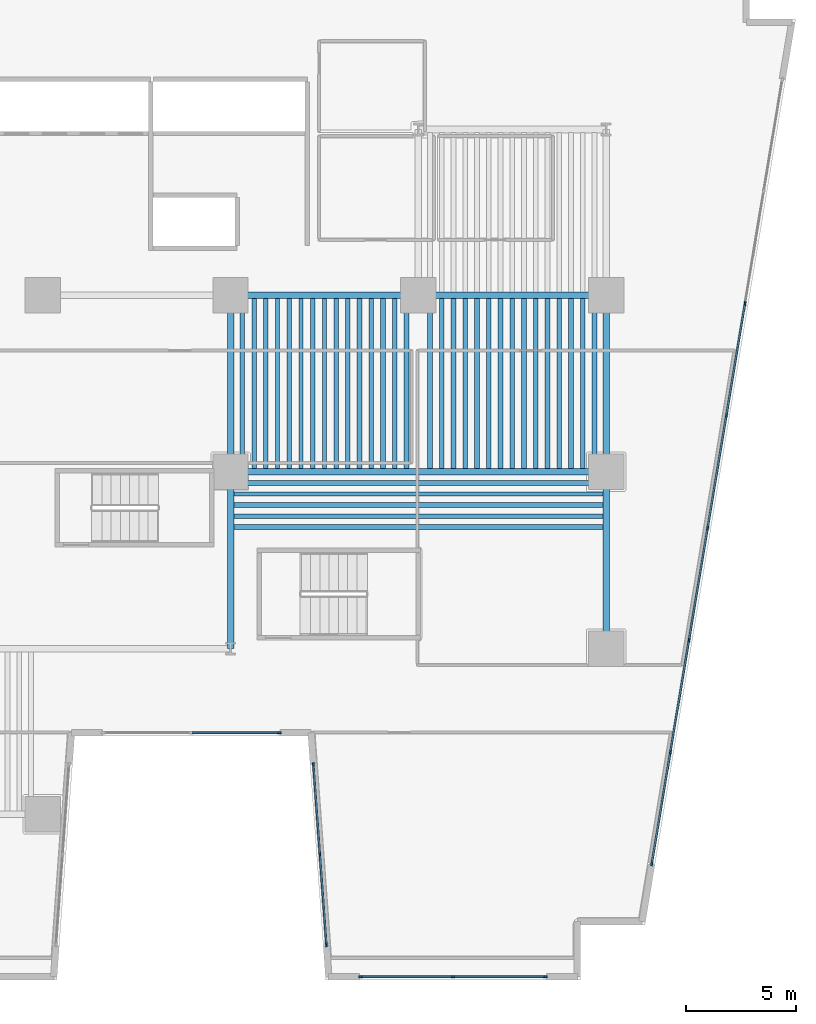
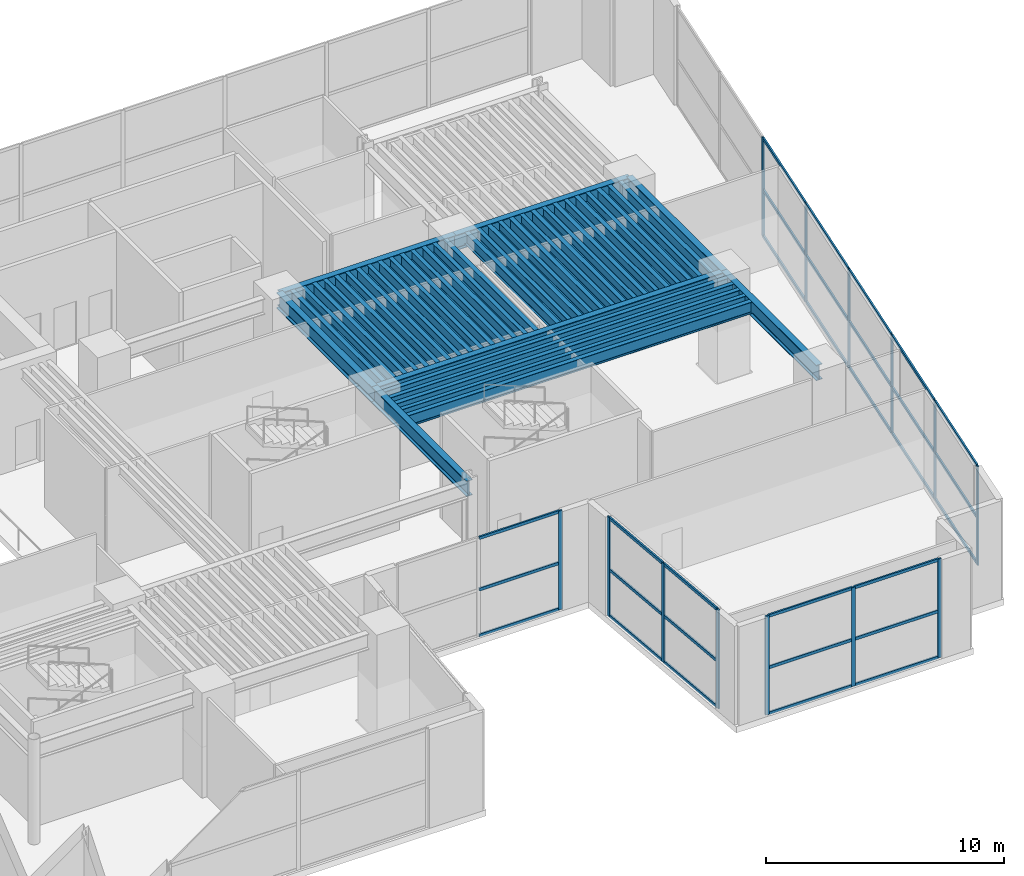
# One storey, part 4 of 16: 43 members, 42 beams, 4 elements without a shape of their own.
"""IFC4 building model written with IfcOpenShell, lengths in metres."""

from ifc_helpers import new_model, si_unit, direction, frame, origin, origin_2d, place, context, subcontext, project, spatial, rectangle, i_section, extrude, material, layer, layer_set, material_profile, profile_set, type_object, element, aggregate, save


model = new_model("IFC4")

# Units and contexts
model_context = context("Model", 3, precision=1e-05, world=origin(), true_north=direction((0.0, 1.0)))
body_context = subcontext(model_context, "Body", "Model", "MODEL_VIEW")
ifc_project = project(units=[si_unit("LENGTHUNIT", "METRE"), si_unit("AREAUNIT", "SQUARE_METRE"), si_unit("VOLUMEUNIT", "CUBIC_METRE"), si_unit("PLANEANGLEUNIT", "RADIAN"), si_unit("MASSUNIT", "GRAM", prefix="KILO")], contexts=[model_context])

# Site, building, storey
site_placement = place(None, origin())
site = spatial("IfcSite", under=ifc_project, at=site_placement, CompositionType="ELEMENT")
building_placement = place(site_placement, origin())
building = spatial("IfcBuilding", under=site, at=building_placement, Name="Caeloran Harvest Quay", CompositionType="ELEMENT")
storey_placement = place(building_placement, frame((0.0, 0.0, 10.800048828125)))
storey = spatial("IfcBuildingStorey", under=building, at=storey_placement, Name="L03", CompositionType="ELEMENT", Elevation=10.800048828125)

# Beams
ifc_material_1 = material(Name="Steel S355J2", Category="steel")
ifc_material_profile_1 = material_profile(ifc_material_1, i_section(OverallWidth=0.300048828125, OverallDepth=0.800048828125, WebThickness=0.017578125, FlangeThickness=0.032958984375, FilletRadius=0.030029296875, at=origin_2d()), Name="HE 800 B")
ifc_profile_set_1 = profile_set([ifc_material_profile_1], Name="Steel S355J2")
beam_type_1 = type_object("IfcBeamType", Name="BM-PG-1-HE_800_B", PredefinedType="BEAM", material=ifc_profile_set_1)
beam_placement = place(storey_placement, frame((34.0, 23.0, 4.679931640625), z_axis=(1.0, 0.0, 0.0), x_axis=(0.0, 1.0, 0.0)))
element("IfcBeam", 1, at=beam_placement, inside=storey, type_object=beam_type_1, Name="L03 Primary East-West Girder Y=23.0", PredefinedType="BEAM", context=body_context, shape_type="SweptSolid", body=[
    extrude(i_section(OverallWidth=0.300048828125, OverallDepth=0.800048828125, WebThickness=0.017578125, FlangeThickness=0.032958984375, FilletRadius=0.030029296875, at=origin_2d()), origin(), (0.0, 0.0, 1.0), 17.0),
])
for number, where, z_axis, x_axis, name in (
    (2, (34.0, 31.0, 4.679931640625), (1.0, 0.0, 0.0), (0.0, 1.0, 0.0), "L03 Primary East-West Girder Y=31.0"),
    (3, (42.5, 31.0, 4.679931640625), (1.0, 0.0, 0.0), (0.0, 1.0, 0.0), "L03 Primary East-West Girder Y=31.0"),
):
    element("IfcBeam", number, at=place(storey_placement, frame(where, z_axis=z_axis, x_axis=x_axis)), inside=storey, type_object=beam_type_1, Name=name, PredefinedType="BEAM", context=body_context, shape_type="SweptSolid", body=[
        extrude(i_section(OverallWidth=0.300048828125, OverallDepth=0.800048828125, WebThickness=0.017578125, FlangeThickness=0.032958984375, FilletRadius=0.030029296875, at=origin_2d()), origin(), (0.0, 0.0, 1.0), 8.5),
    ])
for number, where, z_axis, x_axis, name in (
    (4, (34.0, 15.0, 4.679931640625), (0.0, 1.0, 0.0), (-1.0, 0.0, 0.0), "L03 Primary North-South Girder X=34.0"),
    (5, (34.0, 23.0, 4.679931640625), (0.0, 1.0, 0.0), (-1.0, 0.0, 0.0), "L03 Primary North-South Girder X=34.0"),
    (6, (51.0, 15.0, 4.679931640625), (0.0, 1.0, 0.0), (-1.0, 0.0, 0.0), "L03 Primary North-South Girder X=51.0"),
    (7, (51.0, 23.0, 4.679931640625), (0.0, 1.0, 0.0), (-1.0, 0.0, 0.0), "L03 Primary North-South Girder X=51.0"),
):
    element("IfcBeam", number, at=place(storey_placement, frame(where, z_axis=z_axis, x_axis=x_axis)), inside=storey, type_object=beam_type_1, Name=name, PredefinedType="BEAM", context=body_context, shape_type="SweptSolid", body=[
        extrude(i_section(OverallWidth=0.300048828125, OverallDepth=0.800048828125, WebThickness=0.017578125, FlangeThickness=0.032958984375, FilletRadius=0.030029296875, at=origin_2d()), origin(), (0.0, 0.0, 1.0), 8.0),
    ])
ifc_material_profile_2 = material_profile(ifc_material_1, i_section(OverallWidth=0.219970703125, OverallDepth=0.60009765625, WebThickness=0.011962890625, FlangeThickness=0.01904296875, FilletRadius=0.02392578125, at=origin_2d()), Name="IPE 600")
ifc_profile_set_2 = profile_set([ifc_material_profile_2], Name="Steel S355J2")
beam_type_2 = type_object("IfcBeamType", Name="BM-SB-1-IPE_600", PredefinedType="JOIST", material=ifc_profile_set_2)
for number, where, z_axis, x_axis, name in (
    (8, (34.53125, 23.14501953125, 4.780029296875), (0.0, 1.0, 0.0), (-1.0, 0.0, 0.0), "L03 Secondary Composite Joist"),
    (9, (35.59375, 23.14501953125, 4.780029296875), (0.0, 1.0, 0.0), (-1.0, 0.0, 0.0), "L03 Secondary Composite Joist"),
    (10, (36.65625, 23.14501953125, 4.780029296875), (0.0, 1.0, 0.0), (-1.0, 0.0, 0.0), "L03 Secondary Composite Joist"),
    (11, (37.71875, 23.14501953125, 4.780029296875), (0.0, 1.0, 0.0), (-1.0, 0.0, 0.0), "L03 Secondary Composite Joist"),
    (12, (38.78125, 23.14501953125, 4.780029296875), (0.0, 1.0, 0.0), (-1.0, 0.0, 0.0), "L03 Secondary Composite Joist"),
    (13, (39.84375, 23.14501953125, 4.780029296875), (0.0, 1.0, 0.0), (-1.0, 0.0, 0.0), "L03 Secondary Composite Joist"),
    (14, (40.90625, 23.14501953125, 4.780029296875), (0.0, 1.0, 0.0), (-1.0, 0.0, 0.0), "L03 Secondary Composite Joist"),
    (15, (41.96875, 23.14501953125, 4.780029296875), (0.0, 1.0, 0.0), (-1.0, 0.0, 0.0), "L03 Secondary Composite Joist"),
    (16, (43.03125, 23.14501953125, 4.780029296875), (0.0, 1.0, 0.0), (-1.0, 0.0, 0.0), "L03 Secondary Composite Joist"),
    (17, (44.09375, 23.14501953125, 4.780029296875), (0.0, 1.0, 0.0), (-1.0, 0.0, 0.0), "L03 Secondary Composite Joist"),
    (18, (45.15625, 23.14501953125, 4.780029296875), (0.0, 1.0, 0.0), (-1.0, 0.0, 0.0), "L03 Secondary Composite Joist"),
    (19, (46.21875, 23.14501953125, 4.780029296875), (0.0, 1.0, 0.0), (-1.0, 0.0, 0.0), "L03 Secondary Composite Joist"),
    (20, (47.28125, 23.14501953125, 4.780029296875), (0.0, 1.0, 0.0), (-1.0, 0.0, 0.0), "L03 Secondary Composite Joist"),
    (21, (48.34375, 23.14501953125, 4.780029296875), (0.0, 1.0, 0.0), (-1.0, 0.0, 0.0), "L03 Secondary Composite Joist"),
    (22, (49.40625, 23.14501953125, 4.780029296875), (0.0, 1.0, 0.0), (-1.0, 0.0, 0.0), "L03 Secondary Composite Joist"),
    (23, (50.46875, 23.14501953125, 4.780029296875), (0.0, 1.0, 0.0), (-1.0, 0.0, 0.0), "L03 Secondary Composite Joist"),
):
    element("IfcBeam", number, at=place(storey_placement, frame(where, z_axis=z_axis, x_axis=x_axis)), inside=storey, type_object=beam_type_2, Name=name, PredefinedType="JOIST", context=body_context, shape_type="SweptSolid", body=[
        extrude(i_section(OverallWidth=0.219970703125, OverallDepth=0.60009765625, WebThickness=0.011962890625, FlangeThickness=0.01904296875, FilletRadius=0.02392578125, at=origin_2d()), origin(), (0.0, 0.0, 1.0), 7.7099609375),
    ])
for number, where, z_axis, x_axis, name in (
    (24, (34.14501953125, 20.5, 4.780029296875), (1.0, 0.0, 0.0), (0.0, 1.0, 0.0), "L03 Secondary East-West Composite Joist"),
    (25, (34.14501953125, 21.5, 4.780029296875), (1.0, 0.0, 0.0), (0.0, 1.0, 0.0), "L03 Secondary East-West Composite Joist"),
    (26, (34.14501953125, 22.5, 4.780029296875), (1.0, 0.0, 0.0), (0.0, 1.0, 0.0), "L03 Secondary East-West Composite Joist"),
):
    element("IfcBeam", number, at=place(storey_placement, frame(where, z_axis=z_axis, x_axis=x_axis)), inside=storey, type_object=beam_type_2, Name=name, PredefinedType="JOIST", context=body_context, shape_type="SweptSolid", body=[
        extrude(i_section(OverallWidth=0.219970703125, OverallDepth=0.60009765625, WebThickness=0.011962890625, FlangeThickness=0.01904296875, FilletRadius=0.02392578125, at=origin_2d()), origin(), (0.0, 0.0, 1.0), 16.7099609375),
    ])
ifc_material_profile_3 = material_profile(ifc_material_1, i_section(OverallWidth=0.199951171875, OverallDepth=0.5, WebThickness=0.01025390625, FlangeThickness=0.01611328125, FilletRadius=0.02099609375, at=origin_2d()), Name="IPE 500")
ifc_profile_set_3 = profile_set([ifc_material_profile_3], Name="Steel S355J2")
beam_type_3 = type_object("IfcBeamType", Name="BM-SB-2-IPE_500", PredefinedType="JOIST", material=ifc_profile_set_3)
for number, where, z_axis, x_axis, name in (
    (27, (35.0625, 23.14501953125, 4.829833984375), (0.0, 1.0, 0.0), (-1.0, 0.0, 0.0), "L03 Secondary Composite Joist"),
    (28, (36.125, 23.14501953125, 4.829833984375), (0.0, 1.0, 0.0), (-1.0, 0.0, 0.0), "L03 Secondary Composite Joist"),
    (29, (37.1875, 23.14501953125, 4.829833984375), (0.0, 1.0, 0.0), (-1.0, 0.0, 0.0), "L03 Secondary Composite Joist"),
    (30, (38.25, 23.14501953125, 4.829833984375), (0.0, 1.0, 0.0), (-1.0, 0.0, 0.0), "L03 Secondary Composite Joist"),
    (31, (39.3125, 23.14501953125, 4.829833984375), (0.0, 1.0, 0.0), (-1.0, 0.0, 0.0), "L03 Secondary Composite Joist"),
    (32, (40.375, 23.14501953125, 4.829833984375), (0.0, 1.0, 0.0), (-1.0, 0.0, 0.0), "L03 Secondary Composite Joist"),
    (33, (41.4375, 23.14501953125, 4.829833984375), (0.0, 1.0, 0.0), (-1.0, 0.0, 0.0), "L03 Secondary Composite Joist"),
    (34, (43.5625, 23.14501953125, 4.829833984375), (0.0, 1.0, 0.0), (-1.0, 0.0, 0.0), "L03 Secondary Composite Joist"),
    (35, (44.625, 23.14501953125, 4.829833984375), (0.0, 1.0, 0.0), (-1.0, 0.0, 0.0), "L03 Secondary Composite Joist"),
    (36, (45.6875, 23.14501953125, 4.829833984375), (0.0, 1.0, 0.0), (-1.0, 0.0, 0.0), "L03 Secondary Composite Joist"),
    (37, (46.75, 23.14501953125, 4.829833984375), (0.0, 1.0, 0.0), (-1.0, 0.0, 0.0), "L03 Secondary Composite Joist"),
    (38, (47.8125, 23.14501953125, 4.829833984375), (0.0, 1.0, 0.0), (-1.0, 0.0, 0.0), "L03 Secondary Composite Joist"),
    (39, (48.875, 23.14501953125, 4.829833984375), (0.0, 1.0, 0.0), (-1.0, 0.0, 0.0), "L03 Secondary Composite Joist"),
    (40, (49.9375, 23.14501953125, 4.829833984375), (0.0, 1.0, 0.0), (-1.0, 0.0, 0.0), "L03 Secondary Composite Joist"),
):
    element("IfcBeam", number, at=place(storey_placement, frame(where, z_axis=z_axis, x_axis=x_axis)), inside=storey, type_object=beam_type_3, Name=name, PredefinedType="JOIST", context=body_context, shape_type="SweptSolid", body=[
        extrude(i_section(OverallWidth=0.199951171875, OverallDepth=0.5, WebThickness=0.01025390625, FlangeThickness=0.01611328125, FilletRadius=0.02099609375, at=origin_2d()), origin(), (0.0, 0.0, 1.0), 7.7099609375),
    ])
for number, where, z_axis, x_axis, name in (
    (41, (34.14501953125, 21.0, 4.829833984375), (1.0, 0.0, 0.0), (0.0, 1.0, 0.0), "L03 Secondary East-West Composite Joist"),
    (42, (34.14501953125, 22.0, 4.829833984375), (1.0, 0.0, 0.0), (0.0, 1.0, 0.0), "L03 Secondary East-West Composite Joist"),
):
    element("IfcBeam", number, at=place(storey_placement, frame(where, z_axis=z_axis, x_axis=x_axis)), inside=storey, type_object=beam_type_3, Name=name, PredefinedType="JOIST", context=body_context, shape_type="SweptSolid", body=[
        extrude(i_section(OverallWidth=0.199951171875, OverallDepth=0.5, WebThickness=0.01025390625, FlangeThickness=0.01611328125, FilletRadius=0.02099609375, at=origin_2d()), origin(), (0.0, 0.0, 1.0), 16.7099609375),
    ])

# Curtain wall, members
ifc_material_2 = material(Name="Aluminium 6063-T6 and Low-E Glazing", Category="aluminium")
ifc_layer = layer(ifc_material_2, 0.179931640625, Name="Aluminium 6063-T6 and Low-E Glazing")
ifc_layer_set = layer_set([ifc_layer], Name="Aluminium 6063-T6 and Low-E Glazing")
curtain_wall_type = type_object("IfcCurtainWallType", Name="CW-SYS-CW-1", PredefinedType="USERDEFINED", material=ifc_layer_set)
curtain_wall_1_placement = place(storey_placement, origin())
curtain_wall_1 = element("IfcCurtainWall", 43, at=curtain_wall_1_placement, inside=storey, type_object=curtain_wall_type, Name="L03 Unitised Curtain Wall CW-1 Run 9", ObjectType="CURTAIN_WALL", PredefinedType="USERDEFINED")
ifc_material_3 = material(Name="Aluminium 6063-T6", Category="aluminium")
ifc_material_profile_4 = material_profile(ifc_material_3, rectangle(XDim=0.080078125, YDim=0.179931640625, at=origin_2d()), Name="CW-MULLION-180")
ifc_profile_set_4 = profile_set([ifc_material_profile_4], Name="Aluminium 6063-T6")
member_type_1 = type_object("IfcMemberType", Name="CW-MULLION-180", PredefinedType="MULLION", material=ifc_profile_set_4)
member_1_placement = place(storey_placement, frame((57.28857421875, 30.622314453125, 0.0), z_axis=(0.0, 0.0, 1.0), x_axis=(0.986431373404, -0.164174131837, 0.0)))
member_1 = element("IfcMember", 44, at=member_1_placement, type_object=member_type_1, Name="CW-1 mullion 3", PredefinedType="MULLION", context=body_context, shape_type="SweptSolid", body=[
    extrude(rectangle(XDim=0.080078125, YDim=0.179931640625, at=origin_2d()), origin(), (0.0, 0.0, 1.0), 5.079833984375),
])
member_2_placement = place(storey_placement, frame((56.44287109375, 25.540771484375, 0.0), z_axis=(0.0, 0.0, 1.0), x_axis=(0.986431373404, -0.164174131837, 0.0)))
member_2 = element("IfcMember", 45, at=member_2_placement, type_object=member_type_1, Name="CW-1 mullion 4", PredefinedType="MULLION", context=body_context, shape_type="SweptSolid", body=[
    extrude(rectangle(XDim=0.080078125, YDim=0.179931640625, at=origin_2d()), origin(), (0.0, 0.0, 1.0), 5.079833984375),
])
member_3_placement = place(storey_placement, frame((55.59716796875, 20.459228515625, 0.0), z_axis=(0.0, 0.0, 1.0), x_axis=(0.986431373404, -0.164174131837, 0.0)))
member_3 = element("IfcMember", 46, at=member_3_placement, type_object=member_type_1, Name="CW-1 mullion 5", PredefinedType="MULLION", context=body_context, shape_type="SweptSolid", body=[
    extrude(rectangle(XDim=0.080078125, YDim=0.179931640625, at=origin_2d()), origin(), (0.0, 0.0, 1.0), 5.079833984375),
])
member_4_placement = place(storey_placement, frame((54.75146484375, 15.377685546875, 0.0), z_axis=(0.0, 0.0, 1.0), x_axis=(0.986431373404, -0.164174131837, 0.0)))
member_4 = element("IfcMember", 47, at=member_4_placement, type_object=member_type_1, Name="CW-1 mullion 6", PredefinedType="MULLION", context=body_context, shape_type="SweptSolid", body=[
    extrude(rectangle(XDim=0.080078125, YDim=0.179931640625, at=origin_2d()), origin(), (0.0, 0.0, 1.0), 5.079833984375),
])
member_5_placement = place(storey_placement, frame((53.905517578125, 10.296142578125, 0.0), z_axis=(0.0, 0.0, 1.0), x_axis=(0.986431373404, -0.164174131837, 0.0)))
member_5 = element("IfcMember", 48, at=member_5_placement, type_object=member_type_1, Name="CW-1 mullion 7", PredefinedType="MULLION", context=body_context, shape_type="SweptSolid", body=[
    extrude(rectangle(XDim=0.080078125, YDim=0.179931640625, at=origin_2d()), origin(), (0.0, 0.0, 1.0), 5.079833984375),
])
member_6_placement = place(storey_placement, frame((53.06640625, 5.254150390625, 0.0), z_axis=(0.0, 0.0, 1.0), x_axis=(0.986431373404, -0.164174131837, 0.0)))
member_6 = element("IfcMember", 49, at=member_6_placement, type_object=member_type_1, Name="CW-1 mullion 8", PredefinedType="MULLION", context=body_context, shape_type="SweptSolid", body=[
    extrude(rectangle(XDim=0.080078125, YDim=0.179931640625, at=origin_2d()), origin(), (0.0, 0.0, 1.0), 5.079833984375),
])

curtain_wall_2_placement = place(storey_placement, origin())
curtain_wall_2 = element("IfcCurtainWall", 50, at=curtain_wall_2_placement, inside=storey, type_object=curtain_wall_type, Name="L03 Unitised Curtain Wall CW-1 Run 12", ObjectType="CURTAIN_WALL", PredefinedType="USERDEFINED")
member_7_placement = place(storey_placement, frame((48.25390625, 0.14990234375, 0.0), z_axis=(0.0, 0.0, 1.0), x_axis=(0.0, -1.0, 0.0)))
member_7 = element("IfcMember", 51, at=member_7_placement, type_object=member_type_1, Name="CW-1 mullion 1", PredefinedType="MULLION", context=body_context, shape_type="SweptSolid", body=[
    extrude(rectangle(XDim=0.080078125, YDim=0.179931640625, at=origin_2d()), origin(), (0.0, 0.0, 1.0), 5.079833984375),
])
member_8_placement = place(storey_placement, frame((44.06884765625, 0.14990234375, 0.0), z_axis=(0.0, 0.0, 1.0), x_axis=(0.0, -1.0, 0.0)))
member_8 = element("IfcMember", 52, at=member_8_placement, type_object=member_type_1, Name="CW-1 mullion 2", PredefinedType="MULLION", context=body_context, shape_type="SweptSolid", body=[
    extrude(rectangle(XDim=0.080078125, YDim=0.179931640625, at=origin_2d()), origin(), (0.0, 0.0, 1.0), 5.079833984375),
])
member_9_placement = place(storey_placement, frame((39.883544921875, 0.14990234375, 0.0), z_axis=(0.0, 0.0, 1.0), x_axis=(0.0, -1.0, 0.0)))
member_9 = element("IfcMember", 53, at=member_9_placement, type_object=member_type_1, Name="CW-1 mullion 3", PredefinedType="MULLION", context=body_context, shape_type="SweptSolid", body=[
    extrude(rectangle(XDim=0.080078125, YDim=0.179931640625, at=origin_2d()), origin(), (0.0, 0.0, 1.0), 5.079833984375),
])

curtain_wall_3_placement = place(storey_placement, origin())
curtain_wall_3 = element("IfcCurtainWall", 54, at=curtain_wall_3_placement, inside=storey, type_object=curtain_wall_type, Name="L03 Unitised Curtain Wall CW-1 Run 13", ObjectType="CURTAIN_WALL", PredefinedType="USERDEFINED")
member_10_placement = place(storey_placement, frame((38.33935546875, 1.586181640625, 0.0), z_axis=(0.0, 0.0, 1.0), x_axis=(-0.997385061295, -0.072270599173, 0.0)))
member_10 = element("IfcMember", 55, at=member_10_placement, type_object=member_type_1, Name="CW-1 mullion 1", PredefinedType="MULLION", context=body_context, shape_type="SweptSolid", body=[
    extrude(rectangle(XDim=0.080078125, YDim=0.179931640625, at=origin_2d()), origin(), (0.0, 0.0, 1.0), 5.079833984375),
])
member_11_placement = place(storey_placement, frame((38.04345703125, 5.669921875, 0.0), z_axis=(0.0, 0.0, 1.0), x_axis=(-0.997385061295, -0.072270599173, 0.0)))
member_11 = element("IfcMember", 56, at=member_11_placement, type_object=member_type_1, Name="CW-1 mullion 2", PredefinedType="MULLION", context=body_context, shape_type="SweptSolid", body=[
    extrude(rectangle(XDim=0.080078125, YDim=0.179931640625, at=origin_2d()), origin(), (0.0, 0.0, 1.0), 5.079833984375),
])
member_12_placement = place(storey_placement, frame((37.74755859375, 9.753662109375, 0.0), z_axis=(0.0, 0.0, 1.0), x_axis=(-0.997385061295, -0.072270599173, 0.0)))
member_12 = element("IfcMember", 57, at=member_12_placement, type_object=member_type_1, Name="CW-1 mullion 3", PredefinedType="MULLION", context=body_context, shape_type="SweptSolid", body=[
    extrude(rectangle(XDim=0.080078125, YDim=0.179931640625, at=origin_2d()), origin(), (0.0, 0.0, 1.0), 5.079833984375),
])

# Curtain wall, member
curtain_wall_4_placement = place(storey_placement, origin())
curtain_wall_4 = element("IfcCurtainWall", 58, at=curtain_wall_4_placement, inside=storey, type_object=curtain_wall_type, Name="L03 Unitised Curtain Wall CW-1 Run 14", ObjectType="CURTAIN_WALL", PredefinedType="USERDEFINED")
member_13_placement = place(storey_placement, frame((36.20361328125, 11.18994140625, 0.0), z_axis=(0.0, 0.0, 1.0), x_axis=(0.0, -1.0, 0.0)))
member_13 = element("IfcMember", 59, at=member_13_placement, type_object=member_type_1, Name="CW-1 mullion 1", PredefinedType="MULLION", context=body_context, shape_type="SweptSolid", body=[
    extrude(rectangle(XDim=0.080078125, YDim=0.179931640625, at=origin_2d()), origin(), (0.0, 0.0, 1.0), 5.079833984375),
])

# Member
ifc_material_profile_5 = material_profile(ifc_material_3, rectangle(XDim=0.080078125, YDim=0.14990234375, at=origin_2d()), Name="CW-TRANSOM-150")
ifc_profile_set_5 = profile_set([ifc_material_profile_5], Name="Aluminium 6063-T6")
member_type_2 = type_object("IfcMemberType", Name="CW-TRANSOM-150", PredefinedType="USERDEFINED", material=ifc_profile_set_5)
member_14_placement = place(storey_placement, frame((57.281982421875, 30.582763671875, 0.0400390625), z_axis=(-0.164164777552, -0.986432930214, 0.0), x_axis=(0.986432930214, -0.164164777552, 0.0)))
member_14 = element("IfcMember", 60, at=member_14_placement, type_object=member_type_2, Name="CW-1 transom 3.1", ObjectType="TRANSOM", PredefinedType="USERDEFINED", context=body_context, shape_type="SweptSolid", body=[
    extrude(rectangle(XDim=0.080078125, YDim=0.14990234375, at=origin_2d()), origin(), (0.0, 0.0, 1.0), 5.0712890625),
])

member_15_placement = place(storey_placement, frame((57.281982421875, 30.582763671875, 2.39990234375), z_axis=(-0.164164777552, -0.986432930214, 0.0), x_axis=(0.986432930214, -0.164164777552, 0.0)))
member_15 = element("IfcMember", 61, at=member_15_placement, type_object=member_type_2, Name="CW-1 transom 3.2", ObjectType="TRANSOM", PredefinedType="USERDEFINED", context=body_context, shape_type="SweptSolid", body=[
    extrude(rectangle(XDim=0.080078125, YDim=0.14990234375, at=origin_2d()), origin(), (0.0, 0.0, 1.0), 5.0712890625),
])

member_16_placement = place(storey_placement, frame((57.281982421875, 30.582763671875, 5.0400390625), z_axis=(-0.164164777552, -0.986432930214, 0.0), x_axis=(0.986432930214, -0.164164777552, 0.0)))
member_16 = element("IfcMember", 62, at=member_16_placement, type_object=member_type_2, Name="CW-1 transom 3.3", ObjectType="TRANSOM", PredefinedType="USERDEFINED", context=body_context, shape_type="SweptSolid", body=[
    extrude(rectangle(XDim=0.080078125, YDim=0.14990234375, at=origin_2d()), origin(), (0.0, 0.0, 1.0), 5.0712890625),
])

member_17_placement = place(storey_placement, frame((56.436279296875, 25.501220703125, 0.0400390625), z_axis=(-0.164164777552, -0.986432930214, 0.0), x_axis=(0.986432930214, -0.164164777552, 0.0)))
member_17 = element("IfcMember", 63, at=member_17_placement, type_object=member_type_2, Name="CW-1 transom 4.1", ObjectType="TRANSOM", PredefinedType="USERDEFINED", context=body_context, shape_type="SweptSolid", body=[
    extrude(rectangle(XDim=0.080078125, YDim=0.14990234375, at=origin_2d()), origin(), (0.0, 0.0, 1.0), 5.0712890625),
])

member_18_placement = place(storey_placement, frame((56.436279296875, 25.501220703125, 2.39990234375), z_axis=(-0.164164777552, -0.986432930214, 0.0), x_axis=(0.986432930214, -0.164164777552, 0.0)))
member_18 = element("IfcMember", 64, at=member_18_placement, type_object=member_type_2, Name="CW-1 transom 4.2", ObjectType="TRANSOM", PredefinedType="USERDEFINED", context=body_context, shape_type="SweptSolid", body=[
    extrude(rectangle(XDim=0.080078125, YDim=0.14990234375, at=origin_2d()), origin(), (0.0, 0.0, 1.0), 5.0712890625),
])

member_19_placement = place(storey_placement, frame((56.436279296875, 25.501220703125, 5.0400390625), z_axis=(-0.164164777552, -0.986432930214, 0.0), x_axis=(0.986432930214, -0.164164777552, 0.0)))
member_19 = element("IfcMember", 65, at=member_19_placement, type_object=member_type_2, Name="CW-1 transom 4.3", ObjectType="TRANSOM", PredefinedType="USERDEFINED", context=body_context, shape_type="SweptSolid", body=[
    extrude(rectangle(XDim=0.080078125, YDim=0.14990234375, at=origin_2d()), origin(), (0.0, 0.0, 1.0), 5.0712890625),
])

member_20_placement = place(storey_placement, frame((55.590576171875, 20.419677734375, 0.0400390625), z_axis=(-0.164211621725, -0.98642513314, 0.0), x_axis=(0.98642513314, -0.164211621725, 0.0)))
member_20 = element("IfcMember", 66, at=member_20_placement, type_object=member_type_2, Name="CW-1 transom 5.1", ObjectType="TRANSOM", PredefinedType="USERDEFINED", context=body_context, shape_type="SweptSolid", body=[
    extrude(rectangle(XDim=0.080078125, YDim=0.14990234375, at=origin_2d()), origin(), (0.0, 0.0, 1.0), 5.0712890625),
])

member_21_placement = place(storey_placement, frame((55.590576171875, 20.419677734375, 2.39990234375), z_axis=(-0.164211621725, -0.98642513314, 0.0), x_axis=(0.98642513314, -0.164211621725, 0.0)))
member_21 = element("IfcMember", 67, at=member_21_placement, type_object=member_type_2, Name="CW-1 transom 5.2", ObjectType="TRANSOM", PredefinedType="USERDEFINED", context=body_context, shape_type="SweptSolid", body=[
    extrude(rectangle(XDim=0.080078125, YDim=0.14990234375, at=origin_2d()), origin(), (0.0, 0.0, 1.0), 5.0712890625),
])

member_22_placement = place(storey_placement, frame((55.590576171875, 20.419677734375, 5.0400390625), z_axis=(-0.164211621725, -0.98642513314, 0.0), x_axis=(0.98642513314, -0.164211621725, 0.0)))
member_22 = element("IfcMember", 68, at=member_22_placement, type_object=member_type_2, Name="CW-1 transom 5.3", ObjectType="TRANSOM", PredefinedType="USERDEFINED", context=body_context, shape_type="SweptSolid", body=[
    extrude(rectangle(XDim=0.080078125, YDim=0.14990234375, at=origin_2d()), origin(), (0.0, 0.0, 1.0), 5.0712890625),
])

member_23_placement = place(storey_placement, frame((54.744873046875, 15.33837890625, 0.0400390625), z_axis=(-0.164203823965, -0.986426431213, 0.0), x_axis=(0.986426431213, -0.164203823965, 0.0)))
member_23 = element("IfcMember", 69, at=member_23_placement, type_object=member_type_2, Name="CW-1 transom 6.1", ObjectType="TRANSOM", PredefinedType="USERDEFINED", context=body_context, shape_type="SweptSolid", body=[
    extrude(rectangle(XDim=0.080078125, YDim=0.14990234375, at=origin_2d()), origin(), (0.0, 0.0, 1.0), 5.071533203125),
])

member_24_placement = place(storey_placement, frame((54.744873046875, 15.33837890625, 2.39990234375), z_axis=(-0.164203823965, -0.986426431213, 0.0), x_axis=(0.986426431213, -0.164203823965, 0.0)))
member_24 = element("IfcMember", 70, at=member_24_placement, type_object=member_type_2, Name="CW-1 transom 6.2", ObjectType="TRANSOM", PredefinedType="USERDEFINED", context=body_context, shape_type="SweptSolid", body=[
    extrude(rectangle(XDim=0.080078125, YDim=0.14990234375, at=origin_2d()), origin(), (0.0, 0.0, 1.0), 5.071533203125),
])

member_25_placement = place(storey_placement, frame((54.744873046875, 15.33837890625, 5.0400390625), z_axis=(-0.164203823965, -0.986426431213, 0.0), x_axis=(0.986426431213, -0.164203823965, 0.0)))
member_25 = element("IfcMember", 71, at=member_25_placement, type_object=member_type_2, Name="CW-1 transom 6.3", ObjectType="TRANSOM", PredefinedType="USERDEFINED", context=body_context, shape_type="SweptSolid", body=[
    extrude(rectangle(XDim=0.080078125, YDim=0.14990234375, at=origin_2d()), origin(), (0.0, 0.0, 1.0), 5.071533203125),
])

member_26_placement = place(storey_placement, frame((53.899169921875, 10.2568359375, 0.0400390625), z_axis=(-0.164202268648, -0.986426690115, 0.0), x_axis=(0.986426690115, -0.164202268648, 0.0)))
member_26 = element("IfcMember", 72, at=member_26_placement, type_object=member_type_2, Name="CW-1 transom 7.1", ObjectType="TRANSOM", PredefinedType="USERDEFINED", context=body_context, shape_type="SweptSolid", body=[
    extrude(rectangle(XDim=0.080078125, YDim=0.14990234375, at=origin_2d()), origin(), (0.0, 0.0, 1.0), 5.031494140625),
])

member_27_placement = place(storey_placement, frame((53.899169921875, 10.2568359375, 2.39990234375), z_axis=(-0.164202268648, -0.986426690115, 0.0), x_axis=(0.986426690115, -0.164202268648, 0.0)))
member_27 = element("IfcMember", 73, at=member_27_placement, type_object=member_type_2, Name="CW-1 transom 7.2", ObjectType="TRANSOM", PredefinedType="USERDEFINED", context=body_context, shape_type="SweptSolid", body=[
    extrude(rectangle(XDim=0.080078125, YDim=0.14990234375, at=origin_2d()), origin(), (0.0, 0.0, 1.0), 5.031494140625),
])

member_28_placement = place(storey_placement, frame((53.899169921875, 10.2568359375, 5.0400390625), z_axis=(-0.164202268648, -0.986426690115, 0.0), x_axis=(0.986426690115, -0.164202268648, 0.0)))
member_28 = element("IfcMember", 74, at=member_28_placement, type_object=member_type_2, Name="CW-1 transom 7.3", ObjectType="TRANSOM", PredefinedType="USERDEFINED", context=body_context, shape_type="SweptSolid", body=[
    extrude(rectangle(XDim=0.080078125, YDim=0.14990234375, at=origin_2d()), origin(), (0.0, 0.0, 1.0), 5.031494140625),
])

aggregate(curtain_wall_1, [member_1, member_2, member_3, member_4, member_5, member_6, member_14, member_15, member_16, member_17, member_18, member_19, member_20, member_21, member_22, member_23, member_24, member_25, member_26, member_27, member_28])

member_29_placement = place(storey_placement, frame((48.214111328125, 0.14990234375, 0.0400390625), z_axis=(-1.0, 0.0, 0.0), x_axis=(0.0, -1.0, 0.0)))
member_29 = element("IfcMember", 75, at=member_29_placement, type_object=member_type_2, Name="CW-1 transom 1.1", ObjectType="TRANSOM", PredefinedType="USERDEFINED", context=body_context, shape_type="SweptSolid", body=[
    extrude(rectangle(XDim=0.080078125, YDim=0.14990234375, at=origin_2d()), origin(), (0.0, 0.0, 1.0), 4.10546875),
])

member_30_placement = place(storey_placement, frame((48.214111328125, 0.14990234375, 2.39990234375), z_axis=(-1.0, 0.0, 0.0), x_axis=(0.0, -1.0, 0.0)))
member_30 = element("IfcMember", 76, at=member_30_placement, type_object=member_type_2, Name="CW-1 transom 1.2", ObjectType="TRANSOM", PredefinedType="USERDEFINED", context=body_context, shape_type="SweptSolid", body=[
    extrude(rectangle(XDim=0.080078125, YDim=0.14990234375, at=origin_2d()), origin(), (0.0, 0.0, 1.0), 4.10546875),
])

member_31_placement = place(storey_placement, frame((48.214111328125, 0.14990234375, 5.0400390625), z_axis=(-1.0, 0.0, 0.0), x_axis=(0.0, -1.0, 0.0)))
member_31 = element("IfcMember", 77, at=member_31_placement, type_object=member_type_2, Name="CW-1 transom 1.3", ObjectType="TRANSOM", PredefinedType="USERDEFINED", context=body_context, shape_type="SweptSolid", body=[
    extrude(rectangle(XDim=0.080078125, YDim=0.14990234375, at=origin_2d()), origin(), (0.0, 0.0, 1.0), 4.10546875),
])

member_32_placement = place(storey_placement, frame((44.02880859375, 0.14990234375, 0.0400390625), z_axis=(-1.0, 0.0, 0.0), x_axis=(0.0, -1.0, 0.0)))
member_32 = element("IfcMember", 78, at=member_32_placement, type_object=member_type_2, Name="CW-1 transom 2.1", ObjectType="TRANSOM", PredefinedType="USERDEFINED", context=body_context, shape_type="SweptSolid", body=[
    extrude(rectangle(XDim=0.080078125, YDim=0.14990234375, at=origin_2d()), origin(), (0.0, 0.0, 1.0), 4.105224609375),
])

member_33_placement = place(storey_placement, frame((44.02880859375, 0.14990234375, 2.39990234375), z_axis=(-1.0, 0.0, 0.0), x_axis=(0.0, -1.0, 0.0)))
member_33 = element("IfcMember", 79, at=member_33_placement, type_object=member_type_2, Name="CW-1 transom 2.2", ObjectType="TRANSOM", PredefinedType="USERDEFINED", context=body_context, shape_type="SweptSolid", body=[
    extrude(rectangle(XDim=0.080078125, YDim=0.14990234375, at=origin_2d()), origin(), (0.0, 0.0, 1.0), 4.105224609375),
])

member_34_placement = place(storey_placement, frame((44.02880859375, 0.14990234375, 5.0400390625), z_axis=(-1.0, 0.0, 0.0), x_axis=(0.0, -1.0, 0.0)))
member_34 = element("IfcMember", 80, at=member_34_placement, type_object=member_type_2, Name="CW-1 transom 2.3", ObjectType="TRANSOM", PredefinedType="USERDEFINED", context=body_context, shape_type="SweptSolid", body=[
    extrude(rectangle(XDim=0.080078125, YDim=0.14990234375, at=origin_2d()), origin(), (0.0, 0.0, 1.0), 4.105224609375),
])

aggregate(curtain_wall_2, [member_7, member_8, member_9, member_29, member_30, member_31, member_32, member_33, member_34])

member_35_placement = place(storey_placement, frame((38.33642578125, 1.6259765625, 0.0400390625), z_axis=(-0.072245328201, 0.99738689211, 0.0), x_axis=(-0.99738689211, -0.072245328201, 0.0)))
member_35 = element("IfcMember", 81, at=member_35_placement, type_object=member_type_2, Name="CW-1 transom 1.1", ObjectType="TRANSOM", PredefinedType="USERDEFINED", context=body_context, shape_type="SweptSolid", body=[
    extrude(rectangle(XDim=0.080078125, YDim=0.14990234375, at=origin_2d()), origin(), (0.0, 0.0, 1.0), 4.0146484375),
])

member_36_placement = place(storey_placement, frame((38.33642578125, 1.6259765625, 2.39990234375), z_axis=(-0.072245328201, 0.99738689211, 0.0), x_axis=(-0.99738689211, -0.072245328201, 0.0)))
member_36 = element("IfcMember", 82, at=member_36_placement, type_object=member_type_2, Name="CW-1 transom 1.2", ObjectType="TRANSOM", PredefinedType="USERDEFINED", context=body_context, shape_type="SweptSolid", body=[
    extrude(rectangle(XDim=0.080078125, YDim=0.14990234375, at=origin_2d()), origin(), (0.0, 0.0, 1.0), 4.0146484375),
])

member_37_placement = place(storey_placement, frame((38.33642578125, 1.6259765625, 5.0400390625), z_axis=(-0.072245328201, 0.99738689211, 0.0), x_axis=(-0.99738689211, -0.072245328201, 0.0)))
member_37 = element("IfcMember", 83, at=member_37_placement, type_object=member_type_2, Name="CW-1 transom 1.3", ObjectType="TRANSOM", PredefinedType="USERDEFINED", context=body_context, shape_type="SweptSolid", body=[
    extrude(rectangle(XDim=0.080078125, YDim=0.14990234375, at=origin_2d()), origin(), (0.0, 0.0, 1.0), 4.0146484375),
])

member_38_placement = place(storey_placement, frame((38.04052734375, 5.7099609375, 0.0400390625), z_axis=(-0.07224971041, 0.997386574677, 0.0), x_axis=(-0.997386574677, -0.07224971041, 0.0)))
member_38 = element("IfcMember", 84, at=member_38_placement, type_object=member_type_2, Name="CW-1 transom 2.1", ObjectType="TRANSOM", PredefinedType="USERDEFINED", context=body_context, shape_type="SweptSolid", body=[
    extrude(rectangle(XDim=0.080078125, YDim=0.14990234375, at=origin_2d()), origin(), (0.0, 0.0, 1.0), 4.014404296875),
])

member_39_placement = place(storey_placement, frame((38.04052734375, 5.7099609375, 2.39990234375), z_axis=(-0.07224971041, 0.997386574677, 0.0), x_axis=(-0.997386574677, -0.07224971041, 0.0)))
member_39 = element("IfcMember", 85, at=member_39_placement, type_object=member_type_2, Name="CW-1 transom 2.2", ObjectType="TRANSOM", PredefinedType="USERDEFINED", context=body_context, shape_type="SweptSolid", body=[
    extrude(rectangle(XDim=0.080078125, YDim=0.14990234375, at=origin_2d()), origin(), (0.0, 0.0, 1.0), 4.014404296875),
])

member_40_placement = place(storey_placement, frame((38.04052734375, 5.7099609375, 5.0400390625), z_axis=(-0.07224971041, 0.997386574677, 0.0), x_axis=(-0.997386574677, -0.07224971041, 0.0)))
member_40 = element("IfcMember", 86, at=member_40_placement, type_object=member_type_2, Name="CW-1 transom 2.3", ObjectType="TRANSOM", PredefinedType="USERDEFINED", context=body_context, shape_type="SweptSolid", body=[
    extrude(rectangle(XDim=0.080078125, YDim=0.14990234375, at=origin_2d()), origin(), (0.0, 0.0, 1.0), 4.014404296875),
])

aggregate(curtain_wall_3, [member_10, member_11, member_12, member_35, member_36, member_37, member_38, member_39, member_40])

member_41_placement = place(storey_placement, frame((36.16357421875, 11.18994140625, 0.0400390625), z_axis=(-1.0, 0.0, 0.0), x_axis=(0.0, -1.0, 0.0)))
member_41 = element("IfcMember", 87, at=member_41_placement, type_object=member_type_2, Name="CW-1 transom 1.1", ObjectType="TRANSOM", PredefinedType="USERDEFINED", context=body_context, shape_type="SweptSolid", body=[
    extrude(rectangle(XDim=0.080078125, YDim=0.14990234375, at=origin_2d()), origin(), (0.0, 0.0, 1.0), 3.903564453125),
])

member_42_placement = place(storey_placement, frame((36.16357421875, 11.18994140625, 2.39990234375), z_axis=(-1.0, 0.0, 0.0), x_axis=(0.0, -1.0, 0.0)))
member_42 = element("IfcMember", 88, at=member_42_placement, type_object=member_type_2, Name="CW-1 transom 1.2", ObjectType="TRANSOM", PredefinedType="USERDEFINED", context=body_context, shape_type="SweptSolid", body=[
    extrude(rectangle(XDim=0.080078125, YDim=0.14990234375, at=origin_2d()), origin(), (0.0, 0.0, 1.0), 3.903564453125),
])

member_43_placement = place(storey_placement, frame((36.16357421875, 11.18994140625, 5.0400390625), z_axis=(-1.0, 0.0, 0.0), x_axis=(0.0, -1.0, 0.0)))
member_43 = element("IfcMember", 89, at=member_43_placement, type_object=member_type_2, Name="CW-1 transom 1.3", ObjectType="TRANSOM", PredefinedType="USERDEFINED", context=body_context, shape_type="SweptSolid", body=[
    extrude(rectangle(XDim=0.080078125, YDim=0.14990234375, at=origin_2d()), origin(), (0.0, 0.0, 1.0), 3.903564453125),
])

aggregate(curtain_wall_4, [member_13, member_41, member_42, member_43])

save(model, "model.ifc")
